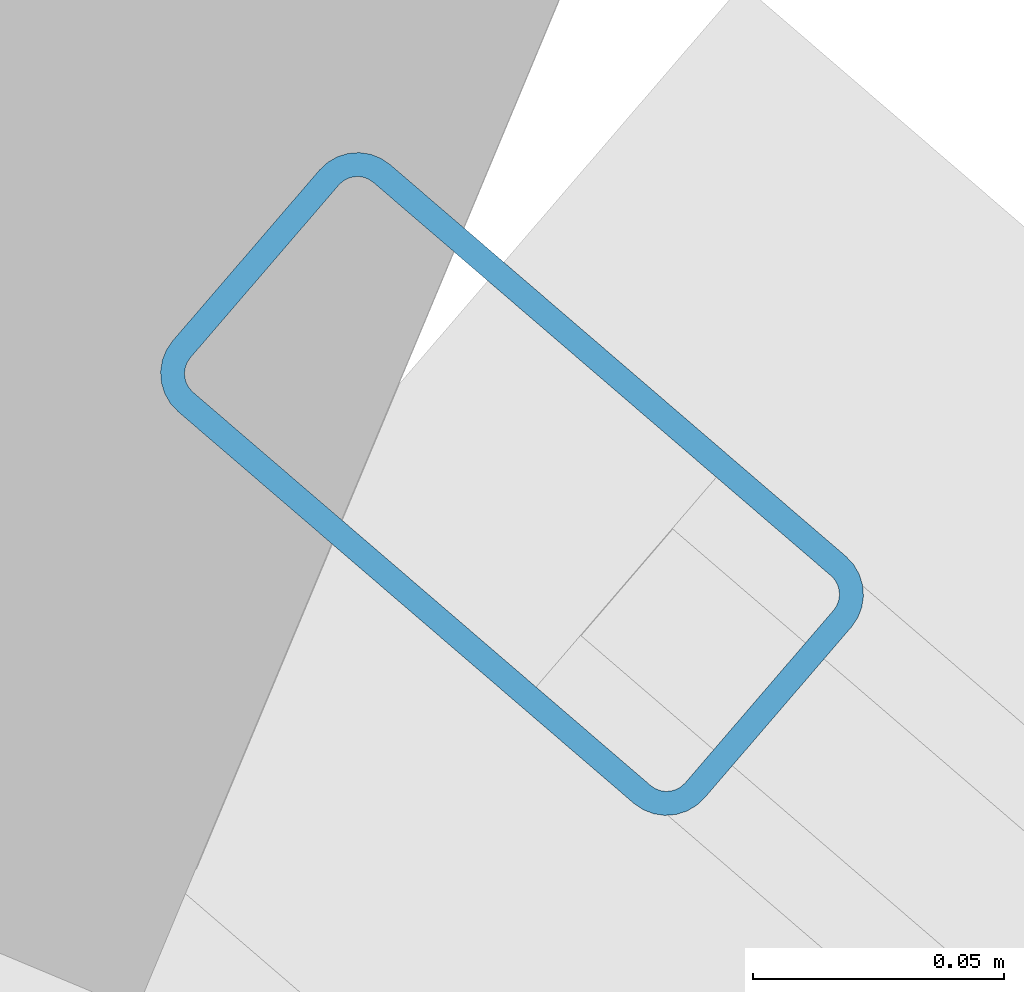
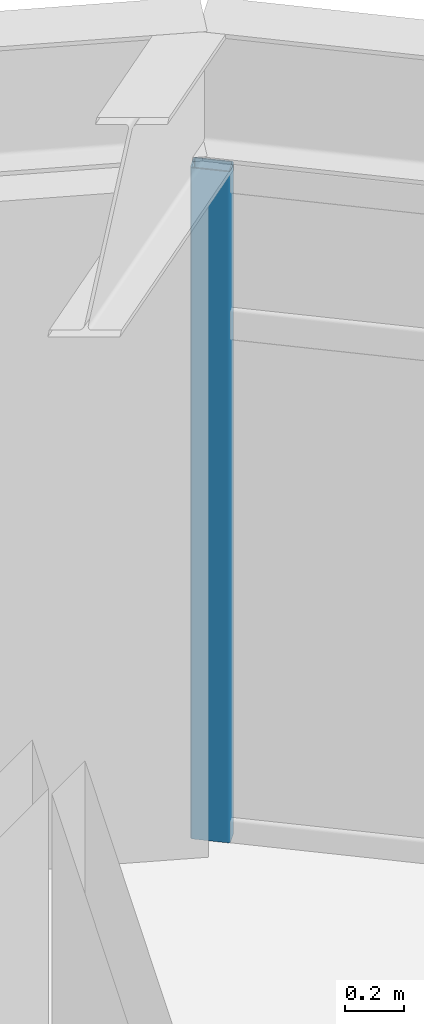
# One storey, part 16 of 23: 1 member, 1 element without a shape of its own.
"""IFC4 building model written with IfcOpenShell, lengths in metres."""

from ifc_helpers import new_model, si_unit, direction, frame, origin, origin_2d, place, context, subcontext, project, spatial, hollow_rectangle, extrude, material, layer, layer_set, material_profile, profile_set, type_object, element, aggregate, save


model = new_model("IFC4")

# Units and contexts
model_context = context("Model", 3, precision=1e-05, world=origin(), true_north=direction((0.0, 1.0)))
body_context = subcontext(model_context, "Body", "Model", "MODEL_VIEW")
ifc_project = project(units=[si_unit("LENGTHUNIT", "METRE"), si_unit("AREAUNIT", "SQUARE_METRE"), si_unit("VOLUMEUNIT", "CUBIC_METRE"), si_unit("PLANEANGLEUNIT", "RADIAN"), si_unit("MASSUNIT", "GRAM", prefix="KILO")], contexts=[model_context])

# Site, building, storey
site_placement = place(None, origin())
site = spatial("IfcSite", under=ifc_project, at=site_placement, CompositionType="ELEMENT")
building_placement = place(site_placement, origin())
building = spatial("IfcBuilding", under=site, at=building_placement, Name="Soratama Intermodal Tower", CompositionType="ELEMENT")
storey_placement = place(building_placement, frame((0.0, 0.0, 280.0)))
storey = spatial("IfcBuildingStorey", under=building, at=storey_placement, Name="L71", CompositionType="ELEMENT", Elevation=280.0)

# Curtain wall, member
ifc_material_1 = material(Name="Double-glazed aluminium curtain wall", Category="aluminium")
ifc_layer = layer(ifc_material_1, 0.159912109375)
ifc_layer_set = layer_set([ifc_layer], Name="Double-glazed aluminium curtain wall")
curtain_wall_type = type_object("IfcCurtainWallType", Name="CW-SYS-5", PredefinedType="NOTDEFINED", material=ifc_layer_set)
curtain_wall_placement = place(storey_placement, origin())
curtain_wall = element("IfcCurtainWall", 1, at=curtain_wall_placement, inside=storey, type_object=curtain_wall_type, Name="L71 Faceted Curtain Wall F10", PredefinedType="NOTDEFINED")
ifc_material_2 = material(Name="Anodised aluminium AA 6063-T6", Category="aluminium")
ifc_material_profile = material_profile(ifc_material_2, hollow_rectangle(XDim=0.06494140625, YDim=0.139892578125, WallThickness=0.0048828125, InnerFilletRadius=0.0048828125, OuterFilletRadius=0.010009765625, at=origin_2d()), Name="CWM140X65X5")
ifc_profile_set = profile_set([ifc_material_profile], Name="Anodised aluminium AA 6063-T6")
member_type = type_object("IfcMemberType", Name="MT-CWM-5", PredefinedType="MULLION", material=ifc_profile_set)
member_placement = place(storey_placement, frame((53.454345703125, 41.31005859375, 0.0), z_axis=(0.0, 0.0, 1.0), x_axis=(-0.651825531412, -0.758368958093, 0.0)))
member = element("IfcMember", 2, at=member_placement, type_object=member_type, Name="CW-5 mullion 2", PredefinedType="MULLION", context=body_context, shape_type="SweptSolid", body=[
    extrude(hollow_rectangle(XDim=0.06494140625, YDim=0.139892578125, WallThickness=0.0048828125, InnerFilletRadius=0.0048828125, OuterFilletRadius=0.010009765625, at=origin_2d()), origin(), (0.0, 0.0, 1.0), 2.7890625),
])
aggregate(curtain_wall, [member])

save(model, "model.ifc")
